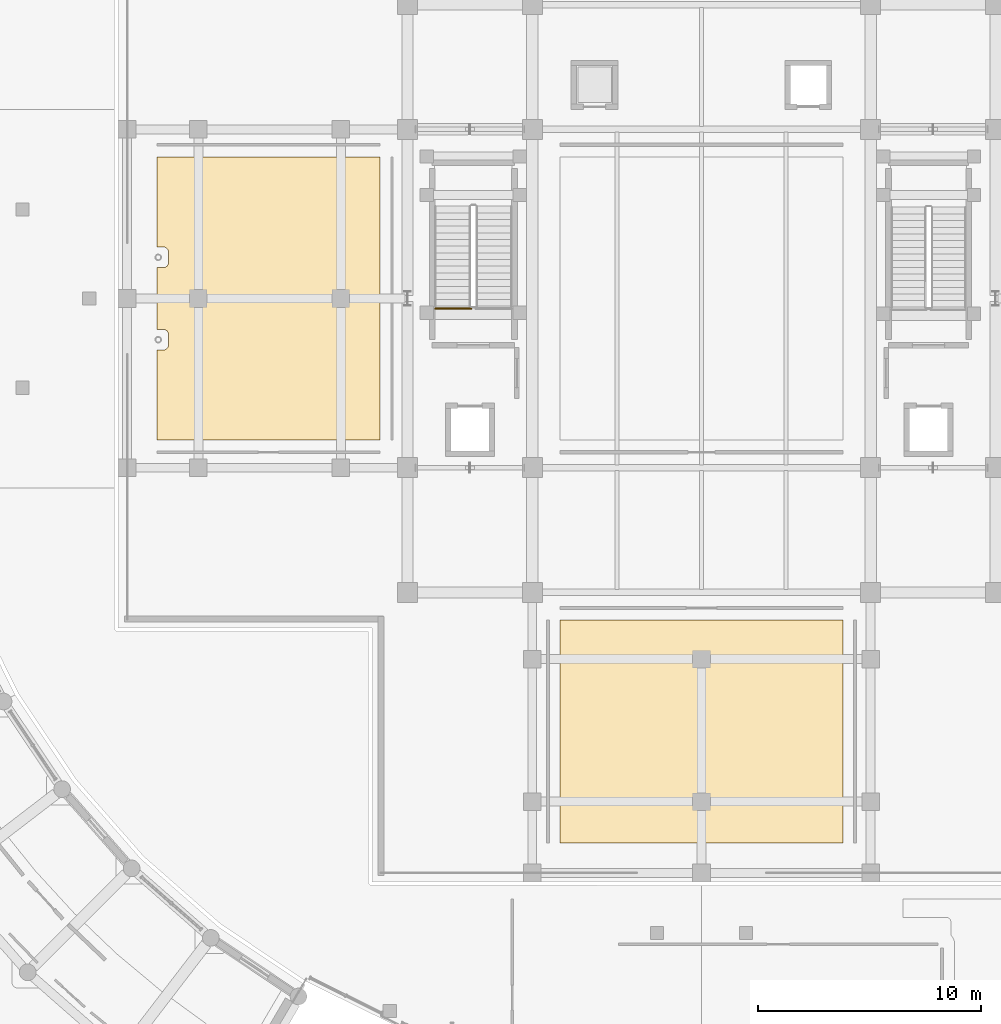
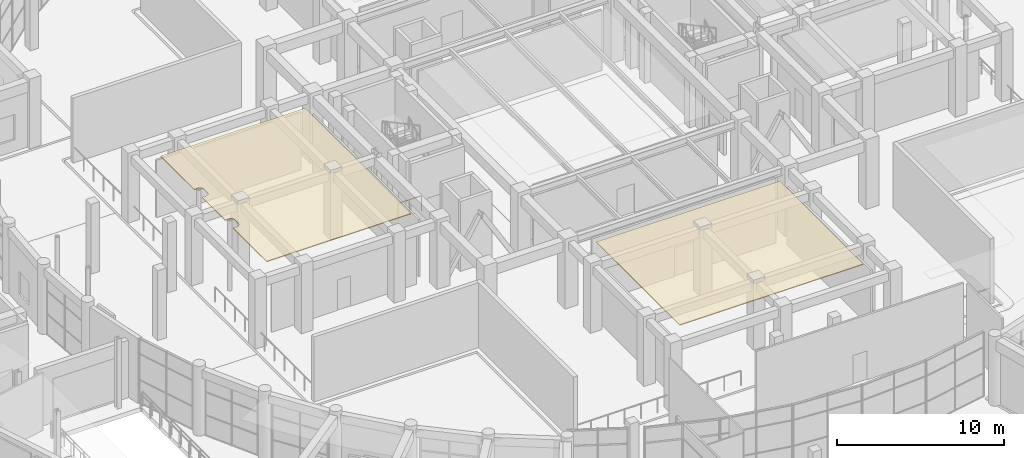
# One storey, part 88 of 99: 2 coverings, 1 railing.
"""IFC4 building model written with IfcOpenShell, lengths in metres."""

from ifc_helpers import new_model, si_unit, direction, frame, origin, origin_2d, place, context, subcontext, project, spatial, polyline, rectangle, outline, extrude, material, layer, layer_set, type_object, element, save


model = new_model("IFC4")

# Units and contexts
model_context = context("Model", 3, precision=1e-05, world=origin(), true_north=direction((0.0, 1.0)))
body_context = subcontext(model_context, "Body", "Model", "MODEL_VIEW")
ifc_project = project(units=[si_unit("LENGTHUNIT", "METRE"), si_unit("AREAUNIT", "SQUARE_METRE"), si_unit("VOLUMEUNIT", "CUBIC_METRE"), si_unit("PLANEANGLEUNIT", "RADIAN"), si_unit("MASSUNIT", "GRAM", prefix="KILO")], contexts=[model_context])

# Site, building, storey
site_placement = place(None, origin())
site = spatial("IfcSite", under=ifc_project, at=site_placement, CompositionType="ELEMENT")
building_placement = place(site_placement, origin())
building = spatial("IfcBuilding", under=site, at=building_placement, Name="Saryqyr Civic Hall", CompositionType="ELEMENT")
storey_placement = place(building_placement, origin())
storey = spatial("IfcBuildingStorey", under=building, at=storey_placement, Name="L00", CompositionType="ELEMENT", Elevation=0.0)

# Coverings
ifc_material_1 = material(Name="Mineral-fibre acoustic ceiling tile", Category="acoustic_tile")
ifc_layer_1 = layer(ifc_material_1, 0.06005859375, Name="Mineral-fibre acoustic ceiling tile")
ifc_layer_set_1 = layer_set([ifc_layer_1], Name="Mineral-fibre acoustic ceiling tile")
covering_type = type_object("IfcCoveringType", Name="INT-COV-CEIL-60", PredefinedType="CEILING", material=ifc_layer_set_1)
covering_1_placement = place(storey_placement, frame((0.0, 0.0, 4.760009765625)))
element("IfcCovering", 1, at=covering_1_placement, inside=storey, type_object=covering_type, Name="Acoustic ceiling Public Information & Accreditation Hall", PredefinedType="CEILING", context=body_context, shape_type="SweptSolid", body=[
    extrude(outline(polyline([(50.64990234375, 59.550048828125), (50.64990234375, 69.550048828125), (63.35009765625, 69.550048828125), (63.35009765625, 59.550048828125), (50.64990234375, 59.550048828125)])), origin(), (0.0, 0.0, 1.0), 0.06005859375),
])
covering_2_placement = place(storey_placement, frame((0.0, 0.0, 4.760009765625)))
element("IfcCovering", 2, at=covering_2_placement, inside=storey, type_object=covering_type, Name="Acoustic ceiling Citizens' Petition & Reception Room", PredefinedType="CEILING", context=body_context, shape_type="SweptSolid", body=[
    extrude(outline(polyline([(32.550048828125, 77.64990234375), (32.550048828125, 81.68359375), (32.81640625, 81.68359375), (32.841064453125, 81.684814453125), (32.865234375, 81.688232421875), (32.88916015625, 81.6943359375), (32.912109375, 81.702392578125), (32.934326171875, 81.712890625), (32.955322265625, 81.7255859375), (32.97509765625, 81.740234375), (32.993408203125, 81.756591796875), (33.009765625, 81.77490234375), (33.0244140625, 81.794677734375), (33.037109375, 81.815673828125), (33.047607421875, 81.837890625), (33.0556640625, 81.86083984375), (33.061767578125, 81.884765625), (33.065185546875, 81.908935546875), (33.06640625, 81.93359375), (33.06640625, 82.366455078125), (33.065185546875, 82.39111328125), (33.061767578125, 82.415283203125), (33.0556640625, 82.439208984375), (33.047607421875, 82.462158203125), (33.037109375, 82.484375), (33.0244140625, 82.50537109375), (33.009765625, 82.525146484375), (32.993408203125, 82.543212890625), (32.97509765625, 82.559814453125), (32.955322265625, 82.574462890625), (32.934326171875, 82.5869140625), (32.912109375, 82.597412109375), (32.88916015625, 82.605712890625), (32.865234375, 82.61181640625), (32.841064453125, 82.615234375), (32.81640625, 82.616455078125), (32.550048828125, 82.616455078125), (32.550048828125, 85.383544921875), (32.81640625, 85.383544921875), (32.841064453125, 85.384765625), (32.865234375, 85.38818359375), (32.88916015625, 85.394287109375), (32.912109375, 85.402587890625), (32.934326171875, 85.4130859375), (32.955322265625, 85.425537109375), (32.97509765625, 85.440185546875), (32.993408203125, 85.456787109375), (33.009765625, 85.474853515625), (33.0244140625, 85.49462890625), (33.037109375, 85.515625), (33.047607421875, 85.537841796875), (33.0556640625, 85.560791015625), (33.061767578125, 85.584716796875), (33.065185546875, 85.60888671875), (33.06640625, 85.633544921875), (33.06640625, 86.06640625), (33.065185546875, 86.091064453125), (33.061767578125, 86.115234375), (33.0556640625, 86.13916015625), (33.047607421875, 86.162109375), (33.037109375, 86.184326171875), (33.0244140625, 86.205322265625), (33.009765625, 86.22509765625), (32.993408203125, 86.243408203125), (32.97509765625, 86.259765625), (32.955322265625, 86.2744140625), (32.934326171875, 86.287109375), (32.912109375, 86.297607421875), (32.88916015625, 86.3056640625), (32.865234375, 86.311767578125), (32.841064453125, 86.315185546875), (32.81640625, 86.31640625), (32.550048828125, 86.31640625), (32.550048828125, 90.35009765625), (42.550048828125, 90.35009765625), (42.550048828125, 77.64990234375), (32.550048828125, 77.64990234375)])), origin(), (0.0, 0.0, 1.0), 0.06005859375),
])

# Railing
ifc_material_2 = material(Name="Warm brushed brass and laminated glass", Category="glass")
ifc_layer_2 = layer(ifc_material_2, 0.06005859375, Name="Warm brushed brass and laminated glass")
ifc_layer_set_2 = layer_set([ifc_layer_2], Name="Warm brushed brass and laminated glass")
railing_type = type_object("IfcRailingType", Name="INT-RLG-BAL-1100", PredefinedType="BALUSTRADE", material=ifc_layer_set_2)
railing_placement = place(storey_placement, frame((45.044921875, 83.550048828125, 0.0)))
element("IfcRailing", 3, at=railing_placement, inside=storey, type_object=railing_type, Name="Interior deck safety balustrade L00-066", PredefinedType="BALUSTRADE", context=body_context, shape_type="SweptSolid", body=[
    extrude(rectangle(XDim=0.048095703125, YDim=0.048095703125, at=origin_2d()), frame((0.0, 0.0, 1.09619140625), z_axis=(1.0, 0.0, 0.0), x_axis=(0.0, 1.0, 0.0)), (0.0, 0.0, 1.0), 1.60498046875),
    extrude(rectangle(XDim=0.0419921875, YDim=0.0419921875, at=origin_2d()), origin(), (0.0, 0.0, 1.0), 1.072021484375),
    extrude(rectangle(XDim=0.0419921875, YDim=0.0419921875, at=origin_2d()), frame((0.802490234375, 0.0, 0.0)), (0.0, 0.0, 1.0), 1.072021484375),
    extrude(rectangle(XDim=0.0419921875, YDim=0.0419921875, at=origin_2d()), frame((1.60498046875, 0.0, 0.0)), (0.0, 0.0, 1.0), 1.072021484375),
])

save(model, "model.ifc")
